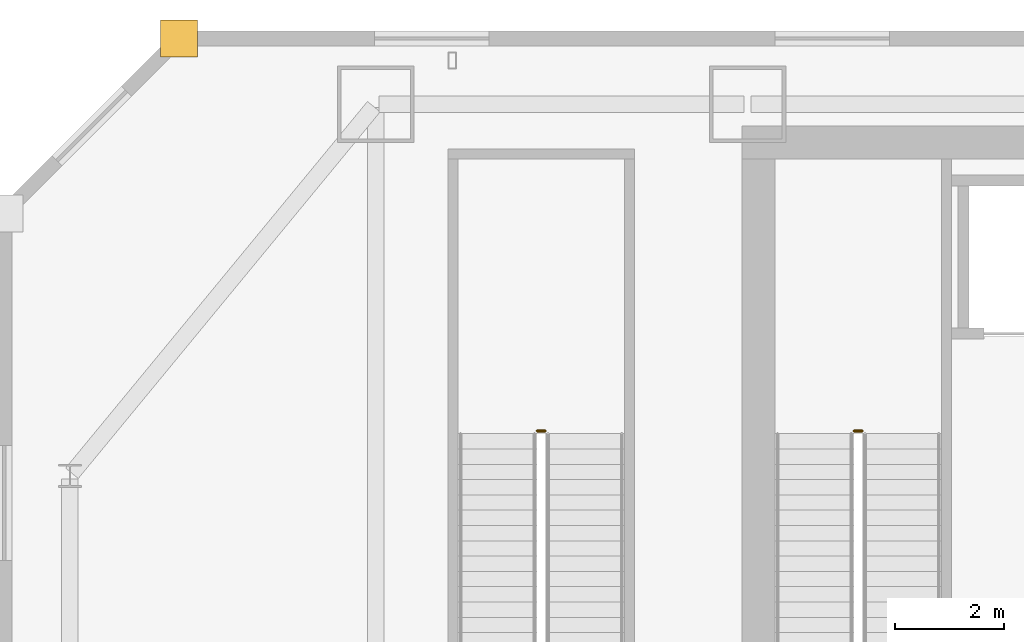
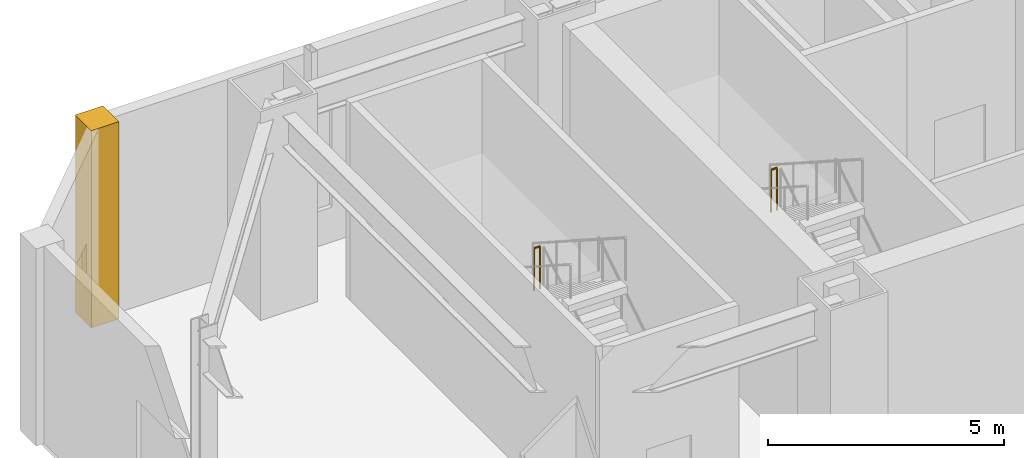
# One storey, part 47 of 51: 2 railings, 1 covering.
"""IFC4 building model written with IfcOpenShell, lengths in metres."""

from ifc_helpers import new_model, si_unit, direction, frame, origin, origin_2d, place, context, subcontext, project, spatial, polyline, circle, outline, extrude, material, layer, layer_set, type_object, element, save


model = new_model("IFC4")

# Units and contexts
model_context = context("Model", 3, precision=1e-05, world=origin(), true_north=direction((0.0, 1.0)))
body_context = subcontext(model_context, "Body", "Model", "MODEL_VIEW")
ifc_project = project(units=[si_unit("LENGTHUNIT", "METRE"), si_unit("AREAUNIT", "SQUARE_METRE"), si_unit("VOLUMEUNIT", "CUBIC_METRE"), si_unit("PLANEANGLEUNIT", "RADIAN"), si_unit("MASSUNIT", "GRAM", prefix="KILO")], contexts=[model_context])

# Site, building, storey
site_placement = place(None, origin())
site = spatial("IfcSite", under=ifc_project, at=site_placement, CompositionType="ELEMENT")
building_placement = place(site_placement, origin())
building = spatial("IfcBuilding", under=site, at=building_placement, Name="Saevonmaru Cultural Tower", CompositionType="ELEMENT")
storey_placement = place(building_placement, frame((0.0, 0.0, 6.0)))
storey = spatial("IfcBuildingStorey", under=building, at=storey_placement, Name="L01", CompositionType="ELEMENT", Elevation=6.0)

# Covering
ifc_material_1 = material(Name="Satin Bronze Anodised Aluminium", Category="aluminium")
ifc_layer = layer(ifc_material_1, 0.679931640625, Name="Satin Bronze Anodised Aluminium")
ifc_layer_set = layer_set([ifc_layer], Name="Satin Bronze Anodised Aluminium")
covering_type = type_object("IfcCoveringType", Name="CV-CORNER-CLAD", PredefinedType="CLADDING", material=ifc_layer_set)
covering_placement = place(storey_placement, origin())
element("IfcCovering", 1, at=covering_placement, inside=storey, type_object=covering_type, Name="L01 Podium Bronze Corner Cladding Pier 7", PredefinedType="CLADDING", context=body_context, shape_type="SweptSolid", body=[
    extrude(outline(polyline([(2.860107421875, 55.659912109375), (3.5400390625, 55.659912109375), (3.5400390625, 56.340087890625), (2.860107421875, 56.340087890625), (2.860107421875, 55.659912109375)])), origin(), (0.0, 0.0, 1.0), 5.10009765625),
])

# Railings
ifc_material_2 = material(Name="Architectural Painted Steel", Category="steel")
railing_type = type_object("IfcRailingType", Name="RL-STAIR-GUARD", PredefinedType="GUARDRAIL", material=ifc_material_2)
for number, where, name in (
    (2, (15.699951171875, 48.820068359375, 2.699951171875), "L01 ST-1 stair guard 2"),
    (3, (9.89990234375, 48.820068359375, 2.699951171875), "L01 ST-3 stair guard 2"),
):
    element("IfcRailing", number, at=place(storey_placement, frame(where)), inside=storey, type_object=railing_type, Name=name, PredefinedType="GUARDRAIL", context=body_context, shape_type="SweptSolid", body=[
        extrude(circle(Radius=0.02392578125, at=origin_2d()), frame((0.0, 0.0, 1.09619140625), z_axis=(-1.0, 0.0, 0.0), x_axis=(0.0, -1.0, 0.0)), (0.0, 0.0, 1.0), 0.14990234375),
        extrude(circle(Radius=0.02099609375, at=origin_2d()), origin(), (0.0, 0.0, 1.0), 1.072021484375),
        extrude(circle(Radius=0.02099609375, at=origin_2d()), frame((-0.14990234375, 0.0, 0.0)), (0.0, 0.0, 1.0), 1.072021484375),
    ])

save(model, "model.ifc")
